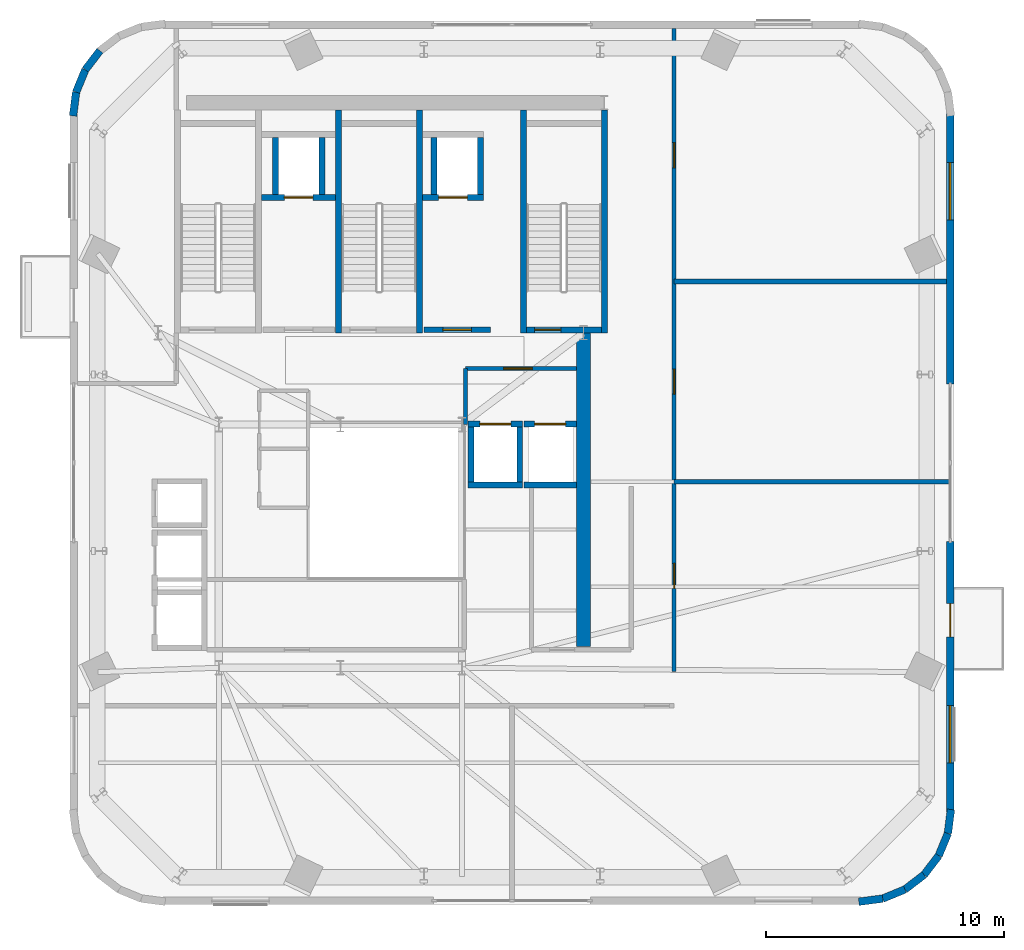
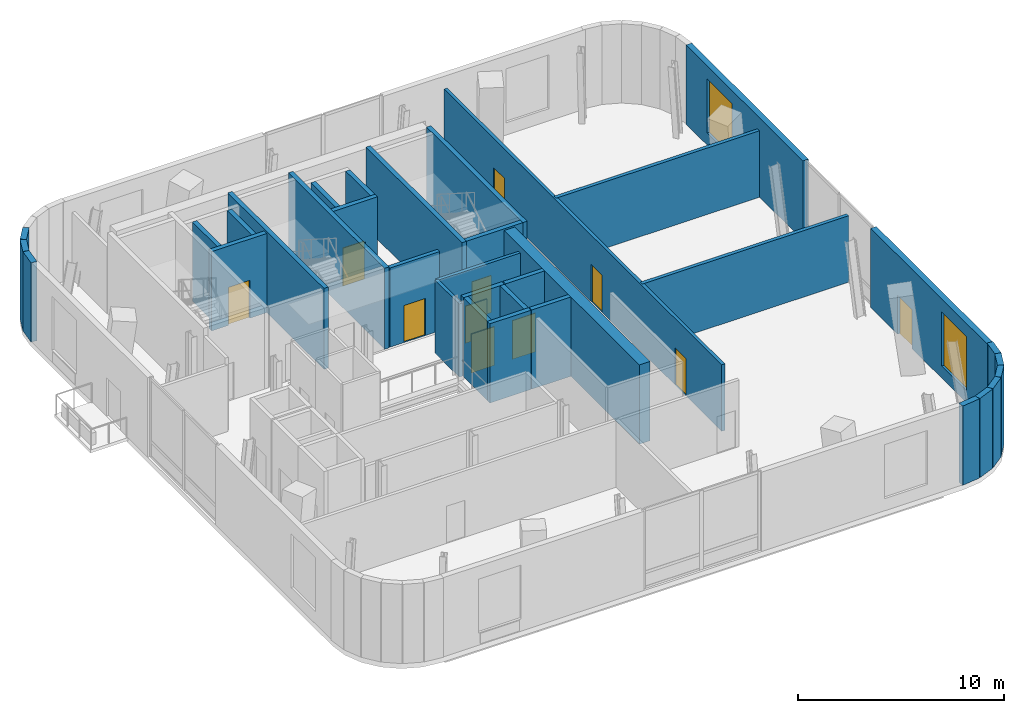
# One storey, part 7 of 10: 35 walls, 11 doors, 2 windows, 13 openings.
"""IFC4 building model written with IfcOpenShell, lengths in metres."""

from ifc_helpers import new_model, si_unit, direction, frame, frame_2d, origin, place, context, subcontext, project, spatial, rectangle, extrude, source, transform, mapped, material, layer, layer_set, type_object, element, fill, save


model = new_model("IFC4")

# Units and contexts
model_context = context("Model", 3, precision=1e-05, world=origin(), true_north=direction((0.0, 1.0)))
body_context = subcontext(model_context, "Body", "Model", "MODEL_VIEW")
ifc_project = project(units=[si_unit("LENGTHUNIT", "METRE"), si_unit("AREAUNIT", "SQUARE_METRE"), si_unit("VOLUMEUNIT", "CUBIC_METRE"), si_unit("PLANEANGLEUNIT", "RADIAN"), si_unit("MASSUNIT", "GRAM", prefix="KILO")], contexts=[model_context])

# Site, building, storey
site_placement = place(None, origin())
site = spatial("IfcSite", under=ifc_project, at=site_placement, CompositionType="ELEMENT")
building_placement = place(site_placement, origin())
building = spatial("IfcBuilding", under=site, at=building_placement, Name="Vardaveli Station Tower", CompositionType="ELEMENT")
storey_placement = place(building_placement, frame((0.0, 0.0, 291.14990234375)))
storey = spatial("IfcBuildingStorey", under=building, at=storey_placement, Name="L74", CompositionType="ELEMENT", Elevation=291.14990234375)

# Wall
ifc_material_1 = material(Name="Concrete C50/60", Category="concrete")
ifc_layer_1 = layer(ifc_material_1, 0.60009765625, Name="Concrete C50/60")
ifc_layer_set_1 = layer_set([ifc_layer_1], Name="Concrete C50/60")
wall_type_1 = type_object("IfcWallType", Name="WAL-CORE-600", PredefinedType="SHEAR", material=ifc_layer_set_1)
shared_shape_1 = source(origin(), body_context, "Body", "SweptSolid", [
    extrude(rectangle(XDim=13.14990234375, YDim=0.60009765625, at=frame_2d((6.574951171875, 0.0))), origin(), (0.0, 0.0, 1.0), 4.7001953125),
])
wall_1_placement = place(storey_placement, frame((46.5, 17.5, 0.0), z_axis=(0.0, 0.0, 1.0), x_axis=(0.0, 1.0, 0.0)))
element("IfcWall", 1, at=wall_1_placement, inside=storey, type_object=wall_type_1, Name="SW-L74-EAST2", PredefinedType="SHEAR", context=body_context, shape_type="MappedRepresentation", body=[
    mapped(shared_shape_1, transform((0.0, 0.0, 0.0), scale=1.0)),
])

# Wall, openings, door, window
ifc_material_2 = material(Name="Precast concrete C45/55", Category="concrete")
ifc_layer_2 = layer(ifc_material_2, 0.320068359375, Name="Precast concrete C45/55")
ifc_layer_set_2 = layer_set([ifc_layer_2], Name="Precast concrete C45/55")
wall_type_2 = type_object("IfcWallType", Name="WAL-EXT-STONE-320", PredefinedType="SOLIDWALL", material=ifc_layer_set_2)
shared_shape_2 = source(origin(), body_context, "Body", "SweptSolid", [
    extrude(rectangle(XDim=11.346923828125, YDim=0.320068359375, at=frame_2d((5.67333984375, 0.0))), origin(), (0.0, 0.0, 1.0), 4.7001953125),
])
wall_2_placement = place(storey_placement, frame((61.8798828125, 10.552978515625, 0.0), z_axis=(0.0, 0.0, 1.0), x_axis=(0.0, 1.0, 0.0)))
wall_2 = element("IfcWall", 2, at=wall_2_placement, inside=storey, type_object=wall_type_2, Name="EW-L74-E1", PredefinedType="SOLIDWALL", context=body_context, shape_type="MappedRepresentation", body=[
    mapped(shared_shape_2, transform((0.0, 0.0, 0.0), scale=1.0)),
])
shared_shape_3 = source(origin(), body_context, "Body", "SweptSolid", [
    extrude(rectangle(XDim=1.39990234375, YDim=2.300048828125, at=frame_2d((0.699951171875, 1.14990234375))), frame((0.0, 0.169921875, 0.0), z_axis=(0.0, -1.0, 0.0), x_axis=(1.0, 0.0, 0.0)), (0.0, 0.0, 1.0), 0.340087890625),
])
opening_1_placement = place(wall_2_placement, frame((7.340576171875, 0.0, 0.0)))
opening_1 = element("IfcOpeningElement", 3, at=opening_1_placement, cuts=wall_2, Name="Opening D-09", PredefinedType="OPENING", context=body_context, shape_type="MappedRepresentation", body=[
    mapped(shared_shape_3, transform((0.0, 0.0, 0.0), scale=1.0)),
])
shared_shape_4 = source(origin(), body_context, "Body", "SweptSolid", [
    extrude(rectangle(XDim=2.39990234375, YDim=3.199951171875, at=frame_2d((1.199951171875, 1.60009765625))), frame((0.0, 0.169921875, 0.0), z_axis=(0.0, -1.0, 0.0), x_axis=(1.0, 0.0, 0.0)), (0.0, 0.0, 1.0), 0.340087890625),
])
opening_2_placement = place(wall_2_placement, frame((2.054443359375, 0.0, 0.719970703125)))
opening_2 = element("IfcOpeningElement", 4, at=opening_2_placement, cuts=wall_2, Name="Opening W-06", PredefinedType="OPENING", context=body_context, shape_type="MappedRepresentation", body=[
    mapped(shared_shape_4, transform((0.0, 0.0, 0.0), scale=1.0)),
])
ifc_material_3 = material(Name="Thermally broken aluminium glass", Category="aluminium")
door_type_1 = type_object("IfcDoorType", Name="DR-LOG-1400x2300", OperationType="DOUBLE_DOOR_SLIDING", PredefinedType="DOOR", material=ifc_material_3)
shared_shape_5 = source(origin(), body_context, "Body", "SweptSolid", [
    extrude(rectangle(XDim=1.39990234375, YDim=2.300048828125, at=frame_2d((0.699951171875, 1.14990234375))), frame((0.0, 0.02490234375, 0.0), z_axis=(0.0, -1.0, 0.0), x_axis=(1.0, 0.0, 0.0)), (0.0, 0.0, 1.0), 0.050048828125),
])
door_1_placement = place(opening_1_placement, frame((1.39990234375, 0.0, 0.0), z_axis=(0.0, 0.0, 1.0), x_axis=(-1.0, 0.0, 0.0)))
door_1 = element("IfcDoor", 5, at=door_1_placement, inside=storey, type_object=door_type_1, Name="DLG-L74-E", OperationType="DOUBLE_DOOR_SLIDING", OverallHeight=2.300048828125, OverallWidth=1.39990234375, PredefinedType="DOOR", context=body_context, shape_type="MappedRepresentation", body=[
    mapped(shared_shape_5, transform((0.0, 0.0, 0.0), scale=1.0)),
])
fill(opening_1, door_1)
ifc_material_4 = material(Name="Low-iron tempered belvedere glass", Category="glass")
window_type = type_object("IfcWindowType", Name="WIN-OBS-2400x3200", PartitioningType="SINGLE_PANEL", PredefinedType="WINDOW", material=ifc_material_4)
shared_shape_6 = source(origin(), body_context, "Body", "SweptSolid", [
    extrude(rectangle(XDim=2.39990234375, YDim=3.199951171875, at=frame_2d((1.199951171875, 1.60009765625))), frame((0.0, 0.030029296875, 0.0), z_axis=(0.0, -1.0, 0.0), x_axis=(1.0, 0.0, 0.0)), (0.0, 0.0, 1.0), 0.06005859375),
])
window_1_placement = place(opening_2_placement, origin())
window_1 = element("IfcWindow", 6, at=window_1_placement, inside=storey, type_object=window_type, Name="WN-L74-E1", OverallHeight=3.199951171875, OverallWidth=2.39990234375, PartitioningType="SINGLE_PANEL", PredefinedType="WINDOW", context=body_context, shape_type="MappedRepresentation", body=[
    mapped(shared_shape_6, transform((0.0, 0.0, 0.0), scale=1.0)),
])
fill(opening_2, window_1)

# Wall, opening, window
wall_3_placement = place(storey_placement, frame((61.8798828125, 28.5, 0.0), z_axis=(0.0, 0.0, 1.0), x_axis=(0.0, 1.0, 0.0)))
wall_3 = element("IfcWall", 7, at=wall_3_placement, inside=storey, type_object=wall_type_2, Name="EW-L74-E2", PredefinedType="SOLIDWALL", context=body_context, shape_type="MappedRepresentation", body=[
    mapped(shared_shape_2, transform((0.0, 0.0, 0.0), scale=1.0)),
])
opening_3_placement = place(wall_3_placement, frame((6.892578125, 0.0, 0.719970703125)))
opening_3 = element("IfcOpeningElement", 8, at=opening_3_placement, cuts=wall_3, Name="Opening W-06", PredefinedType="OPENING", context=body_context, shape_type="MappedRepresentation", body=[
    mapped(shared_shape_4, transform((0.0, 0.0, 0.0), scale=1.0)),
])
window_2_placement = place(opening_3_placement, origin())
window_2 = element("IfcWindow", 9, at=window_2_placement, inside=storey, type_object=window_type, Name="WN-L74-E2", OverallHeight=3.199951171875, OverallWidth=2.39990234375, PartitioningType="SINGLE_PANEL", PredefinedType="WINDOW", context=body_context, shape_type="MappedRepresentation", body=[
    mapped(shared_shape_6, transform((0.0, 0.0, 0.0), scale=1.0)),
])
fill(opening_3, window_2)

# Walls
shared_shape_7 = source(origin(), body_context, "Body", "SweptSolid", [
    extrude(rectangle(XDim=1.01123046875, YDim=0.320068359375, at=frame_2d((0.505615234375, 0.0))), origin(), (0.0, 0.0, 1.0), 4.7001953125),
])
wall_4_placement = place(storey_placement, frame((61.785400390625, 9.649169921875, 0.0), z_axis=(0.0, 0.0, 1.0), x_axis=(0.127718532165, 0.991810453938, 0.0)))
element("IfcWall", 10, at=wall_4_placement, inside=storey, type_object=wall_type_2, Name="EW-L74-CR2-6", PredefinedType="SOLIDWALL", context=body_context, shape_type="MappedRepresentation", body=[
    mapped(shared_shape_7, transform((0.0, 0.0, 0.0), scale=1.0)),
])
shared_shape_8 = source(origin(), body_context, "Body", "SweptSolid", [
    extrude(rectangle(XDim=1.010498046875, YDim=0.320068359375, at=frame_2d((0.50537109375, 0.0))), origin(), (0.0, 0.0, 1.0), 4.7001953125),
])
wall_5_placement = place(storey_placement, frame((61.400634765625, 8.71484375, 0.0), z_axis=(0.0, 0.0, 1.0), x_axis=(0.380786261757, 0.924663086133, 0.0)))
element("IfcWall", 11, at=wall_5_placement, inside=storey, type_object=wall_type_2, Name="EW-L74-CR2-5", PredefinedType="SOLIDWALL", context=body_context, shape_type="MappedRepresentation", body=[
    mapped(shared_shape_8, transform((0.0, 0.0, 0.0), scale=1.0)),
])
shared_shape_9 = source(origin(), body_context, "Body", "SweptSolid", [
    extrude(rectangle(XDim=1.009765625, YDim=0.320068359375, at=frame_2d((0.5048828125, 0.0))), origin(), (0.0, 0.0, 1.0), 4.7001953125),
])
for number, where, z_axis, x_axis, name in (
    (12, (59.985107421875, 7.29931640625, 0.0), (0.0, 0.0, 1.0), (0.793835923598, 0.608131997518, 0.0), "EW-L74-CR2-3"),
    (13, (60.78662109375, 7.913330078125, 0.0), (0.0, 0.0, 1.0), (0.608131997518, 0.793835923598, 0.0), "EW-L74-CR2-4"),
    (14, (26.21337890625, 42.486572265625, 0.0), (0.0, 0.0, 1.0), (-0.608131997518, -0.793835923598, 0.0), "EW-L74-CR4-4"),
):
    element("IfcWall", number, at=place(storey_placement, frame(where, z_axis=z_axis, x_axis=x_axis)), inside=storey, type_object=wall_type_2, Name=name, PredefinedType="SOLIDWALL", context=body_context, shape_type="MappedRepresentation", body=[
        mapped(shared_shape_9, transform((0.0, 0.0, 0.0), scale=1.0)),
    ])
shared_shape_10 = source(origin(), body_context, "Body", "SweptSolid", [
    extrude(rectangle(XDim=1.01025390625, YDim=0.320068359375, at=frame_2d((0.505126953125, 0.0))), origin(), (0.0, 0.0, 1.0), 4.7001953125),
])
for number, where, z_axis, x_axis, name in (
    (15, (59.051025390625, 6.91455078125, 0.0), (0.0, 0.0, 1.0), (0.92462804056, 0.380871351783, 0.0), "EW-L74-CR2-2"),
    (16, (25.599365234375, 41.68505859375, 0.0), (0.0, 0.0, 1.0), (-0.380871351783, -0.92462804056, 0.0), "EW-L74-CR4-5"),
):
    element("IfcWall", number, at=place(storey_placement, frame(where, z_axis=z_axis, x_axis=x_axis)), inside=storey, type_object=wall_type_2, Name=name, PredefinedType="SOLIDWALL", context=body_context, shape_type="MappedRepresentation", body=[
        mapped(shared_shape_10, transform((0.0, 0.0, 0.0), scale=1.0)),
    ])
shared_shape_11 = source(origin(), body_context, "Body", "SweptSolid", [
    extrude(rectangle(XDim=1.011474609375, YDim=0.320068359375, at=frame_2d((0.505859375, 0.0))), origin(), (0.0, 0.0, 1.0), 4.7001953125),
])
for number, where, z_axis, x_axis, name in (
    (17, (58.0478515625, 6.78564453125, 0.0), (0.0, 0.0, 1.0), (0.991844931851, 0.12745050475, 0.0), "EW-L74-CR2-1"),
    (18, (25.214599609375, 40.7509765625, 0.0), (0.0, 0.0, 1.0), (-0.127687956372, -0.9918143908, 0.0), "EW-L74-CR4-6"),
):
    element("IfcWall", number, at=place(storey_placement, frame(where, z_axis=z_axis, x_axis=x_axis)), inside=storey, type_object=wall_type_2, Name=name, PredefinedType="SOLIDWALL", context=body_context, shape_type="MappedRepresentation", body=[
        mapped(shared_shape_11, transform((0.0, 0.0, 0.0), scale=1.0)),
    ])

# Wall, opening, door
ifc_material_5 = material(Name="Concrete C40/50", Category="concrete")
ifc_layer_3 = layer(ifc_material_5, 0.25, Name="Concrete C40/50")
ifc_layer_set_3 = layer_set([ifc_layer_3], Name="Concrete C40/50")
wall_type_3 = type_object("IfcWallType", Name="WAL-SHAFT-250", PredefinedType="SOLIDWALL", material=ifc_layer_set_3)
shared_shape_12 = source(origin(), body_context, "Body", "SweptSolid", [
    extrude(rectangle(XDim=3.14990234375, YDim=0.25, at=frame_2d((1.574951171875, 0.0))), origin(), (0.0, 0.0, 1.0), 4.800048828125),
])
wall_6_placement = place(storey_placement, frame((44.10009765625, 30.77490234375, 0.0), z_axis=(0.0, 0.0, 1.0), x_axis=(1.0, 0.0, 0.0)))
wall_6 = element("IfcWall", 19, at=wall_6_placement, inside=storey, type_object=wall_type_3, Name="W-L74-ST-3S", PredefinedType="SOLIDWALL", context=body_context, shape_type="MappedRepresentation", body=[
    mapped(shared_shape_12, transform((0.0, 0.0, 0.0), scale=1.0)),
])
shared_shape_13 = source(origin(), body_context, "Body", "SweptSolid", [
    extrude(rectangle(XDim=1.10009765625, YDim=2.199951171875, at=frame_2d((0.550048828125, 1.10009765625))), frame((0.0, 0.135009765625, 0.0), z_axis=(0.0, -1.0, 0.0), x_axis=(1.0, 0.0, 0.0)), (0.0, 0.0, 1.0), 0.27001953125),
])
opening_4_placement = place(wall_6_placement, frame((0.35009765625, 0.0, 0.0)))
opening_4 = element("IfcOpeningElement", 20, at=opening_4_placement, cuts=wall_6, Name="Opening D-04", PredefinedType="OPENING", context=body_context, shape_type="MappedRepresentation", body=[
    mapped(shared_shape_13, transform((0.0, 0.0, 0.0), scale=1.0)),
])
ifc_material_6 = material(Name="Steel smokeproof fire doorset", Category="steel")
door_type_2 = type_object("IfcDoorType", Name="DR-ST-1100x2200", OperationType="NOTDEFINED", PredefinedType="DOOR", material=ifc_material_6)
shared_shape_14 = source(origin(), body_context, "Body", "SweptSolid", [
    extrude(rectangle(XDim=1.10009765625, YDim=2.199951171875, at=frame_2d((0.550048828125, 1.10009765625))), frame((0.0, 0.02490234375, 0.0), z_axis=(0.0, -1.0, 0.0), x_axis=(1.0, 0.0, 0.0)), (0.0, 0.0, 1.0), 0.050048828125),
])
door_2_placement = place(opening_4_placement, origin())
door_2 = element("IfcDoor", 21, at=door_2_placement, inside=storey, type_object=door_type_2, Name="DST-3-L74", OperationType="SINGLE_SWING_LEFT", OverallHeight=2.199951171875, OverallWidth=1.10009765625, PredefinedType="DOOR", context=body_context, shape_type="MappedRepresentation", body=[
    mapped(shared_shape_14, transform((0.0, 0.0, 0.0), scale=1.0)),
])
fill(opening_4, door_2)

# Walls
shared_shape_15 = source(origin(), body_context, "Body", "SweptSolid", [
    extrude(rectangle(XDim=9.35009765625, YDim=0.25, at=frame_2d((4.675048828125, 0.0))), origin(), (0.0, 0.0, 1.0), 4.800048828125),
])
for number, where, z_axis, x_axis, name in (
    (22, (36.22509765625, 30.64990234375, 0.0), (0.0, 0.0, 1.0), (0.0, 1.0, 0.0), "W-L74-ST-2W"),
    (23, (39.625, 30.64990234375, 0.0), (0.0, 0.0, 1.0), (0.0, 1.0, 0.0), "W-L74-ST-2E"),
    (24, (43.97509765625, 30.64990234375, 0.0), (0.0, 0.0, 1.0), (0.0, 1.0, 0.0), "W-L74-ST-3W"),
    (25, (47.375, 30.64990234375, 0.0), (0.0, 0.0, 1.0), (0.0, 1.0, 0.0), "W-L74-ST-3E"),
):
    element("IfcWall", number, at=place(storey_placement, frame(where, z_axis=z_axis, x_axis=x_axis)), inside=storey, type_object=wall_type_3, Name=name, PredefinedType="SOLIDWALL", context=body_context, shape_type="MappedRepresentation", body=[
        mapped(shared_shape_15, transform((0.0, 0.0, 0.0), scale=1.0)),
    ])

# Wall, opening, door
ifc_layer_4 = layer(ifc_material_5, 0.219970703125, Name="Concrete C40/50")
ifc_layer_set_4 = layer_set([ifc_layer_4], Name="Concrete C40/50")
wall_type_4 = type_object("IfcWallType", Name="WAL-FFLOBBY-220", PredefinedType="SOLIDWALL", material=ifc_layer_set_4)
shared_shape_16 = source(origin(), body_context, "Body", "SweptSolid", [
    extrude(rectangle(XDim=2.800048828125, YDim=0.219970703125, at=frame_2d((1.39990234375, 0.0))), origin(), (0.0, 0.0, 1.0), 4.7001953125),
])
wall_7_placement = place(storey_placement, frame((39.800048828125, 30.780029296875, 0.0), z_axis=(0.0, 0.0, 1.0), x_axis=(1.0, 0.0, 0.0)))
wall_7 = element("IfcWall", 26, at=wall_7_placement, inside=storey, type_object=wall_type_4, Name="W-L74-FFL2S", PredefinedType="SOLIDWALL", context=body_context, shape_type="MappedRepresentation", body=[
    mapped(shared_shape_16, transform((0.0, 0.0, 0.0), scale=1.0)),
])
shared_shape_17 = source(origin(), body_context, "Body", "SweptSolid", [
    extrude(rectangle(XDim=1.199951171875, YDim=2.199951171875, at=frame_2d((0.60009765625, 1.10009765625))), frame((0.0, 0.1201171875, 0.0), z_axis=(0.0, -1.0, 0.0), x_axis=(1.0, 0.0, 0.0)), (0.0, 0.0, 1.0), 0.239990234375),
])
opening_5_placement = place(wall_7_placement, frame((0.800048828125, 0.0, 0.0)))
opening_5 = element("IfcOpeningElement", 27, at=opening_5_placement, cuts=wall_7, Name="Opening D-03", PredefinedType="OPENING", context=body_context, shape_type="MappedRepresentation", body=[
    mapped(shared_shape_17, transform((0.0, 0.0, 0.0), scale=1.0)),
])
door_type_3 = type_object("IfcDoorType", Name="DR-FFL-1200x2200", OperationType="NOTDEFINED", PredefinedType="DOOR", material=ifc_material_6)
shared_shape_18 = source(origin(), body_context, "Body", "SweptSolid", [
    extrude(rectangle(XDim=1.199951171875, YDim=2.199951171875, at=frame_2d((0.60009765625, 1.10009765625))), frame((0.0, 0.02490234375, 0.0), z_axis=(0.0, -1.0, 0.0), x_axis=(1.0, 0.0, 0.0)), (0.0, 0.0, 1.0), 0.050048828125),
])
door_3_placement = place(opening_5_placement, origin())
door_3 = element("IfcDoor", 28, at=door_3_placement, inside=storey, type_object=door_type_3, Name="DFFL2-L74", OperationType="SINGLE_SWING_RIGHT", OverallHeight=2.199951171875, OverallWidth=1.199951171875, PredefinedType="DOOR", context=body_context, shape_type="MappedRepresentation", body=[
    mapped(shared_shape_18, transform((0.0, 0.0, 0.0), scale=1.0)),
])
fill(opening_5, door_3)

shared_shape_19 = source(origin(), body_context, "Body", "SweptSolid", [
    extrude(rectangle(XDim=3.10009765625, YDim=0.25, at=frame_2d((1.550048828125, 0.0))), origin(), (0.0, 0.0, 1.0), 4.7001953125),
])
wall_8_placement = place(storey_placement, frame((33.0, 36.324951171875, 0.0), z_axis=(0.0, 0.0, 1.0), x_axis=(1.0, 0.0, 0.0)))
wall_8 = element("IfcWall", 29, at=wall_8_placement, inside=storey, type_object=wall_type_3, Name="SHW-FFL-01-L74-S", PredefinedType="SOLIDWALL", context=body_context, shape_type="MappedRepresentation", body=[
    mapped(shared_shape_19, transform((0.0, 0.0, 0.0), scale=1.0)),
])
shared_shape_20 = source(origin(), body_context, "Body", "SweptSolid", [
    extrude(rectangle(XDim=1.199951171875, YDim=2.25, at=frame_2d((0.60009765625, 1.125))), frame((0.0, 0.135009765625, 0.0), z_axis=(0.0, -1.0, 0.0), x_axis=(1.0, 0.0, 0.0)), (0.0, 0.0, 1.0), 0.27001953125),
])
opening_6_placement = place(wall_8_placement, frame((0.949951171875, 0.0, 0.0)))
opening_6 = element("IfcOpeningElement", 30, at=opening_6_placement, cuts=wall_8, Name="Opening LD-02", PredefinedType="OPENING", context=body_context, shape_type="MappedRepresentation", body=[
    mapped(shared_shape_20, transform((0.0, 0.0, 0.0), scale=1.0)),
])
ifc_material_7 = material(Name="Brushed stainless steel", Category="steel")
door_type_4 = type_object("IfcDoorType", Name="DR-LD-1200x2250", OperationType="DOUBLE_DOOR_SLIDING", PredefinedType="DOOR", material=ifc_material_7)
shared_shape_21 = source(origin(), body_context, "Body", "SweptSolid", [
    extrude(rectangle(XDim=1.199951171875, YDim=2.25, at=frame_2d((0.60009765625, 1.125))), frame((0.0, 0.02490234375, 0.0), z_axis=(0.0, -1.0, 0.0), x_axis=(1.0, 0.0, 0.0)), (0.0, 0.0, 1.0), 0.050048828125),
])
door_4_placement = place(opening_6_placement, origin())
door_4 = element("IfcDoor", 31, at=door_4_placement, inside=storey, type_object=door_type_4, Name="LD-FFL-01-L74", OperationType="DOUBLE_DOOR_SLIDING", OverallHeight=2.25, OverallWidth=1.199951171875, PredefinedType="DOOR", context=body_context, shape_type="MappedRepresentation", body=[
    mapped(shared_shape_21, transform((0.0, 0.0, 0.0), scale=1.0)),
])
fill(opening_6, door_4)

# Walls
shared_shape_22 = source(origin(), body_context, "Body", "SweptSolid", [
    extrude(rectangle(XDim=2.400146484375, YDim=0.25, at=frame_2d((1.2001953125, 0.0))), origin(), (0.0, 0.0, 1.0), 4.7001953125),
])
for number, where, z_axis, x_axis, name in (
    (32, (33.574951171875, 36.449951171875, 0.0), (0.0, 0.0, 1.0), (0.0, 1.0, 0.0), "SHW-FFL-01-L74-W"),
    (33, (35.52490234375, 36.449951171875, 0.0), (0.0, 0.0, 1.0), (0.0, 1.0, 0.0), "SHW-FFL-01-L74-E"),
    (34, (40.22509765625, 36.449951171875, 0.0), (0.0, 0.0, 1.0), (0.0, 1.0, 0.0), "SHW-FFL-02-L74-W"),
    (35, (42.175048828125, 36.449951171875, 0.0), (0.0, 0.0, 1.0), (0.0, 1.0, 0.0), "SHW-FFL-02-L74-E"),
):
    element("IfcWall", number, at=place(storey_placement, frame(where, z_axis=z_axis, x_axis=x_axis)), inside=storey, type_object=wall_type_3, Name=name, PredefinedType="SOLIDWALL", context=body_context, shape_type="MappedRepresentation", body=[
        mapped(shared_shape_22, transform((0.0, 0.0, 0.0), scale=1.0)),
    ])

# Wall, opening, door
shared_shape_23 = source(origin(), body_context, "Body", "SweptSolid", [
    extrude(rectangle(XDim=2.550048828125, YDim=0.25, at=frame_2d((1.27490234375, 0.0))), origin(), (0.0, 0.0, 1.0), 4.7001953125),
])
wall_9_placement = place(storey_placement, frame((39.75, 36.324951171875, 0.0), z_axis=(0.0, 0.0, 1.0), x_axis=(1.0, 0.0, 0.0)))
wall_9 = element("IfcWall", 36, at=wall_9_placement, inside=storey, type_object=wall_type_3, Name="SHW-FFL-02-L74-S", PredefinedType="SOLIDWALL", context=body_context, shape_type="MappedRepresentation", body=[
    mapped(shared_shape_23, transform((0.0, 0.0, 0.0), scale=1.0)),
])
opening_7_placement = place(wall_9_placement, frame((0.675048828125, 0.0, 0.0)))
opening_7 = element("IfcOpeningElement", 37, at=opening_7_placement, cuts=wall_9, Name="Opening LD-02", PredefinedType="OPENING", context=body_context, shape_type="MappedRepresentation", body=[
    mapped(shared_shape_20, transform((0.0, 0.0, 0.0), scale=1.0)),
])
door_5_placement = place(opening_7_placement, origin())
door_5 = element("IfcDoor", 38, at=door_5_placement, inside=storey, type_object=door_type_4, Name="LD-FFL-02-L74", OperationType="DOUBLE_DOOR_SLIDING", OverallHeight=2.25, OverallWidth=1.199951171875, PredefinedType="DOOR", context=body_context, shape_type="MappedRepresentation", body=[
    mapped(shared_shape_21, transform((0.0, 0.0, 0.0), scale=1.0)),
])
fill(opening_7, door_5)

# Wall
shared_shape_24 = source(origin(), body_context, "Body", "SweptSolid", [
    extrude(rectangle(XDim=2.300048828125, YDim=0.25, at=frame_2d((1.14990234375, 0.0))), origin(), (0.0, 0.0, 1.0), 4.7001953125),
])
wall_10_placement = place(storey_placement, frame((41.64990234375, 24.27490234375, 0.0), z_axis=(0.0, 0.0, 1.0), x_axis=(1.0, 0.0, 0.0)))
element("IfcWall", 39, at=wall_10_placement, inside=storey, type_object=wall_type_3, Name="SHW-SRV-01-L74-S", PredefinedType="SOLIDWALL", context=body_context, shape_type="MappedRepresentation", body=[
    mapped(shared_shape_24, transform((0.0, 0.0, 0.0), scale=1.0)),
])

# Wall, opening, door
wall_11_placement = place(storey_placement, frame((41.64990234375, 26.824951171875, 0.0), z_axis=(0.0, 0.0, 1.0), x_axis=(1.0, 0.0, 0.0)))
wall_11 = element("IfcWall", 40, at=wall_11_placement, inside=storey, type_object=wall_type_3, Name="SHW-SRV-01-L74-N", PredefinedType="SOLIDWALL", context=body_context, shape_type="MappedRepresentation", body=[
    mapped(shared_shape_24, transform((0.0, 0.0, 0.0), scale=1.0)),
])
shared_shape_25 = source(origin(), body_context, "Body", "SweptSolid", [
    extrude(rectangle(XDim=1.300048828125, YDim=2.300048828125, at=frame_2d((0.64990234375, 1.14990234375))), frame((0.0, 0.135009765625, 0.0), z_axis=(0.0, -1.0, 0.0), x_axis=(1.0, 0.0, 0.0)), (0.0, 0.0, 1.0), 0.27001953125),
])
opening_8_placement = place(wall_11_placement, frame((0.5, 0.0, 0.0)))
opening_8 = element("IfcOpeningElement", 41, at=opening_8_placement, cuts=wall_11, Name="Opening LD-03", PredefinedType="OPENING", context=body_context, shape_type="MappedRepresentation", body=[
    mapped(shared_shape_25, transform((0.0, 0.0, 0.0), scale=1.0)),
])
door_type_5 = type_object("IfcDoorType", Name="DR-LD-1300x2300", OperationType="DOUBLE_DOOR_SLIDING", PredefinedType="DOOR", material=ifc_material_7)
shared_shape_26 = source(origin(), body_context, "Body", "SweptSolid", [
    extrude(rectangle(XDim=1.300048828125, YDim=2.300048828125, at=frame_2d((0.64990234375, 1.14990234375))), frame((0.0, 0.02490234375, 0.0), z_axis=(0.0, -1.0, 0.0), x_axis=(1.0, 0.0, 0.0)), (0.0, 0.0, 1.0), 0.050048828125),
])
door_6_placement = place(opening_8_placement, origin())
door_6 = element("IfcDoor", 42, at=door_6_placement, inside=storey, type_object=door_type_5, Name="LD-SRV-01-L74", OperationType="DOUBLE_DOOR_SLIDING", OverallHeight=2.300048828125, OverallWidth=1.300048828125, PredefinedType="DOOR", context=body_context, shape_type="MappedRepresentation", body=[
    mapped(shared_shape_26, transform((0.0, 0.0, 0.0), scale=1.0)),
])
fill(opening_8, door_6)

# Walls
for number, where, z_axis, x_axis, name in (
    (43, (41.77490234375, 24.39990234375, 0.0), (0.0, 0.0, 1.0), (0.0, 1.0, 0.0), "SHW-SRV-01-L74-W"),
    (44, (43.824951171875, 24.39990234375, 0.0), (0.0, 0.0, 1.0), (0.0, 1.0, 0.0), "SHW-SRV-01-L74-E"),
):
    element("IfcWall", number, at=place(storey_placement, frame(where, z_axis=z_axis, x_axis=x_axis)), inside=storey, type_object=wall_type_3, Name=name, PredefinedType="SOLIDWALL", context=body_context, shape_type="MappedRepresentation", body=[
        mapped(shared_shape_24, transform((0.0, 0.0, 0.0), scale=1.0)),
    ])
shared_shape_27 = source(origin(), body_context, "Body", "SweptSolid", [
    extrude(rectangle(XDim=2.199951171875, YDim=0.25, at=frame_2d((1.10009765625, 0.0))), origin(), (0.0, 0.0, 1.0), 4.7001953125),
])
wall_12_placement = place(storey_placement, frame((44.0, 24.27490234375, 0.0), z_axis=(0.0, 0.0, 1.0), x_axis=(1.0, 0.0, 0.0)))
element("IfcWall", 45, at=wall_12_placement, inside=storey, type_object=wall_type_3, Name="SHW-SRV-02-L74-S", PredefinedType="SOLIDWALL", context=body_context, shape_type="MappedRepresentation", body=[
    mapped(shared_shape_27, transform((0.0, 0.0, 0.0), scale=1.0)),
])

# Wall, opening, door
wall_13_placement = place(storey_placement, frame((44.0, 26.824951171875, 0.0), z_axis=(0.0, 0.0, 1.0), x_axis=(1.0, 0.0, 0.0)))
wall_13 = element("IfcWall", 46, at=wall_13_placement, inside=storey, type_object=wall_type_3, Name="SHW-SRV-02-L74-N", PredefinedType="SOLIDWALL", context=body_context, shape_type="MappedRepresentation", body=[
    mapped(shared_shape_27, transform((0.0, 0.0, 0.0), scale=1.0)),
])
opening_9_placement = place(wall_13_placement, frame((0.449951171875, 0.0, 0.0)))
opening_9 = element("IfcOpeningElement", 47, at=opening_9_placement, cuts=wall_13, Name="Opening LD-03", PredefinedType="OPENING", context=body_context, shape_type="MappedRepresentation", body=[
    mapped(shared_shape_25, transform((0.0, 0.0, 0.0), scale=1.0)),
])
door_7_placement = place(opening_9_placement, origin())
door_7 = element("IfcDoor", 48, at=door_7_placement, inside=storey, type_object=door_type_5, Name="LD-SRV-02-L74", OperationType="DOUBLE_DOOR_SLIDING", OverallHeight=2.300048828125, OverallWidth=1.300048828125, PredefinedType="DOOR", context=body_context, shape_type="MappedRepresentation", body=[
    mapped(shared_shape_26, transform((0.0, 0.0, 0.0), scale=1.0)),
])
fill(opening_9, door_7)

ifc_material_8 = material(Name="Fire-rated gypsum stud partition")
ifc_layer_5 = layer(ifc_material_8, 0.179931640625, Name="Fire-rated gypsum stud partition")
ifc_layer_set_5 = layer_set([ifc_layer_5], Name="Fire-rated gypsum stud partition")
wall_type_5 = type_object("IfcWallType", Name="WAL-CORR-180", PredefinedType="PARTITIONING", material=ifc_layer_set_5)
shared_shape_28 = source(origin(), body_context, "Body", "SweptSolid", [
    extrude(rectangle(XDim=4.64794921875, YDim=0.179931640625, at=frame_2d((2.323974609375, 0.0))), origin(), (0.0, 0.0, 1.0), 4.33203125),
])
wall_14_placement = place(storey_placement, frame((41.550048828125, 29.14990234375, 0.0), z_axis=(0.0, 0.0, 1.0), x_axis=(1.0, 0.0, 0.0)))
wall_14 = element("IfcWall", 49, at=wall_14_placement, inside=storey, type_object=wall_type_5, Name="W-L74-SVFN", PredefinedType="PARTITIONING", context=body_context, shape_type="MappedRepresentation", body=[
    mapped(shared_shape_28, transform((0.0, 0.0, 0.0), scale=1.0)),
])
shared_shape_29 = source(origin(), body_context, "Body", "SweptSolid", [
    extrude(rectangle(XDim=1.199951171875, YDim=2.199951171875, at=frame_2d((0.60009765625, 1.10009765625))), frame((0.0, 0.10009765625, 0.0), z_axis=(0.0, -1.0, 0.0), x_axis=(1.0, 0.0, 0.0)), (0.0, 0.0, 1.0), 0.199951171875),
])
opening_10_placement = place(wall_14_placement, frame((1.60009765625, 0.0, 0.0)))
opening_10 = element("IfcOpeningElement", 50, at=opening_10_placement, cuts=wall_14, Name="Opening D-03", PredefinedType="OPENING", context=body_context, shape_type="MappedRepresentation", body=[
    mapped(shared_shape_29, transform((0.0, 0.0, 0.0), scale=1.0)),
])
door_8_placement = place(opening_10_placement, origin())
door_8 = element("IfcDoor", 51, at=door_8_placement, inside=storey, type_object=door_type_3, Name="D-L74-SVF", OperationType="SINGLE_SWING_RIGHT", OverallHeight=2.199951171875, OverallWidth=1.199951171875, PredefinedType="DOOR", context=body_context, shape_type="MappedRepresentation", body=[
    mapped(shared_shape_18, transform((0.0, 0.0, 0.0), scale=1.0)),
])
fill(opening_10, door_8)

# Wall
shared_shape_30 = source(origin(), body_context, "Body", "SweptSolid", [
    extrude(rectangle(XDim=2.349853515625, YDim=0.179931640625, at=frame_2d((1.1748046875, 0.0))), origin(), (0.0, 0.0, 1.0), 4.33203125),
])
wall_15_placement = place(storey_placement, frame((41.550048828125, 26.800048828125, 0.0), z_axis=(0.0, 0.0, 1.0), x_axis=(0.0, 1.0, 0.0)))
element("IfcWall", 52, at=wall_15_placement, inside=storey, type_object=wall_type_5, Name="W-L74-SVFW", PredefinedType="PARTITIONING", context=body_context, shape_type="MappedRepresentation", body=[
    mapped(shared_shape_30, transform((0.0, 0.0, 0.0), scale=1.0)),
])

# Wall, openings, doors
shared_shape_31 = source(origin(), body_context, "Body", "SweptSolid", [
    extrude(rectangle(XDim=26.968017578125, YDim=0.179931640625, at=frame_2d((13.48388671875, 0.0))), origin(), (0.0, 0.0, 1.0), 3.942138671875),
])
wall_16_placement = place(storey_placement, frame((50.300048828125, 16.449951171875, 0.0), z_axis=(0.0, 0.0, 1.0), x_axis=(0.0, 1.0, 0.0)))
wall_16 = element("IfcWall", 53, at=wall_16_placement, inside=storey, type_object=wall_type_5, Name="W-L74-EW", PredefinedType="PARTITIONING", context=body_context, shape_type="MappedRepresentation", body=[
    mapped(shared_shape_31, transform((0.0, 0.0, 0.0), scale=1.0)),
])
shared_shape_32 = source(origin(), body_context, "Body", "SweptSolid", [
    extrude(rectangle(XDim=1.050048828125, YDim=2.199951171875, at=frame_2d((0.52490234375, 1.10009765625))), frame((0.0, 0.10009765625, 0.0), z_axis=(0.0, -1.0, 0.0), x_axis=(1.0, 0.0, 0.0)), (0.0, 0.0, 1.0), 0.199951171875),
])
opening_11_placement = place(wall_16_placement, frame((3.47998046875, 0.0, 0.0)))
opening_11 = element("IfcOpeningElement", 54, at=opening_11_placement, cuts=wall_16, Name="Opening D-05", PredefinedType="OPENING", context=body_context, shape_type="MappedRepresentation", body=[
    mapped(shared_shape_32, transform((0.0, 0.0, 0.0), scale=1.0)),
])
opening_12_placement = place(wall_16_placement, frame((11.6298828125, 0.0, 0.0)))
opening_12 = element("IfcOpeningElement", 55, at=opening_12_placement, cuts=wall_16, Name="Opening D-05", PredefinedType="OPENING", context=body_context, shape_type="MappedRepresentation", body=[
    mapped(shared_shape_32, transform((0.0, 0.0, 0.0), scale=1.0)),
])
opening_13_placement = place(wall_16_placement, frame((21.125, 0.0, 0.0)))
opening_13 = element("IfcOpeningElement", 56, at=opening_13_placement, cuts=wall_16, Name="Opening D-05", PredefinedType="OPENING", context=body_context, shape_type="MappedRepresentation", body=[
    mapped(shared_shape_32, transform((0.0, 0.0, 0.0), scale=1.0)),
])
ifc_material_9 = material(Name="Walnut veneer acoustic fire door")
door_type_6 = type_object("IfcDoorType", Name="DR-SUITE-1050x2200", OperationType="NOTDEFINED", PredefinedType="DOOR", material=ifc_material_9)
shared_shape_33 = source(origin(), body_context, "Body", "SweptSolid", [
    extrude(rectangle(XDim=1.050048828125, YDim=2.199951171875, at=frame_2d((0.52490234375, 1.10009765625))), frame((0.0, 0.02490234375, 0.0), z_axis=(0.0, -1.0, 0.0), x_axis=(1.0, 0.0, 0.0)), (0.0, 0.0, 1.0), 0.050048828125),
])
door_9_placement = place(opening_11_placement, origin())
door_9 = element("IfcDoor", 57, at=door_9_placement, inside=storey, type_object=door_type_6, Name="D-L74-OB3", OperationType="SINGLE_SWING_LEFT", OverallHeight=2.199951171875, OverallWidth=1.050048828125, PredefinedType="DOOR", context=body_context, shape_type="MappedRepresentation", body=[
    mapped(shared_shape_33, transform((0.0, 0.0, 0.0), scale=1.0)),
])
fill(opening_11, door_9)
door_10_placement = place(opening_12_placement, origin())
door_10 = element("IfcDoor", 58, at=door_10_placement, inside=storey, type_object=door_type_6, Name="D-L74-OB4", OperationType="SINGLE_SWING_RIGHT", OverallHeight=2.199951171875, OverallWidth=1.050048828125, PredefinedType="DOOR", context=body_context, shape_type="MappedRepresentation", body=[
    mapped(shared_shape_33, transform((0.0, 0.0, 0.0), scale=1.0)),
])
fill(opening_12, door_10)
door_11_placement = place(opening_13_placement, origin())
door_11 = element("IfcDoor", 59, at=door_11_placement, inside=storey, type_object=door_type_6, Name="D-L74-OB5", OperationType="SINGLE_SWING_LEFT", OverallHeight=2.199951171875, OverallWidth=1.050048828125, PredefinedType="DOOR", context=body_context, shape_type="MappedRepresentation", body=[
    mapped(shared_shape_33, transform((0.0, 0.0, 0.0), scale=1.0)),
])
fill(opening_13, door_11)

# Walls
ifc_material_10 = material(Name="Acoustic twin-stud gypsum partition")
ifc_layer_6 = layer(ifc_material_10, 0.199951171875, Name="Acoustic twin-stud gypsum partition")
ifc_layer_set_6 = layer_set([ifc_layer_6], Name="Acoustic twin-stud gypsum partition")
wall_type_6 = type_object("IfcWallType", Name="WAL-PARTY-200", PredefinedType="PARTITIONING", material=ifc_layer_set_6)
shared_shape_34 = source(origin(), body_context, "Body", "SweptSolid", [
    extrude(rectangle(XDim=11.58984375, YDim=0.199951171875, at=frame_2d((5.794921875, 0.0))), origin(), (0.0, 0.0, 1.0), 3.942138671875),
])
wall_17_placement = place(storey_placement, frame((50.300048828125, 24.39990234375, 0.0), z_axis=(0.0, 0.0, 1.0), x_axis=(1.0, 0.0, 0.0)))
element("IfcWall", 60, at=wall_17_placement, inside=storey, type_object=wall_type_6, Name="W-L74-EM1", PredefinedType="PARTITIONING", context=body_context, shape_type="MappedRepresentation", body=[
    mapped(shared_shape_34, transform((0.0, 0.0, 0.0), scale=1.0)),
])
shared_shape_35 = source(origin(), body_context, "Body", "SweptSolid", [
    extrude(rectangle(XDim=11.41796875, YDim=0.199951171875, at=frame_2d((5.708984375, 0.0))), origin(), (0.0, 0.0, 1.0), 3.942138671875),
])
wall_18_placement = place(storey_placement, frame((50.300048828125, 32.800048828125, 0.0), z_axis=(0.0, 0.0, 1.0), x_axis=(1.0, 0.0, 0.0)))
element("IfcWall", 61, at=wall_18_placement, inside=storey, type_object=wall_type_6, Name="W-L74-EM2", PredefinedType="PARTITIONING", context=body_context, shape_type="MappedRepresentation", body=[
    mapped(shared_shape_35, transform((0.0, 0.0, 0.0), scale=1.0)),
])

save(model, "model.ifc")
